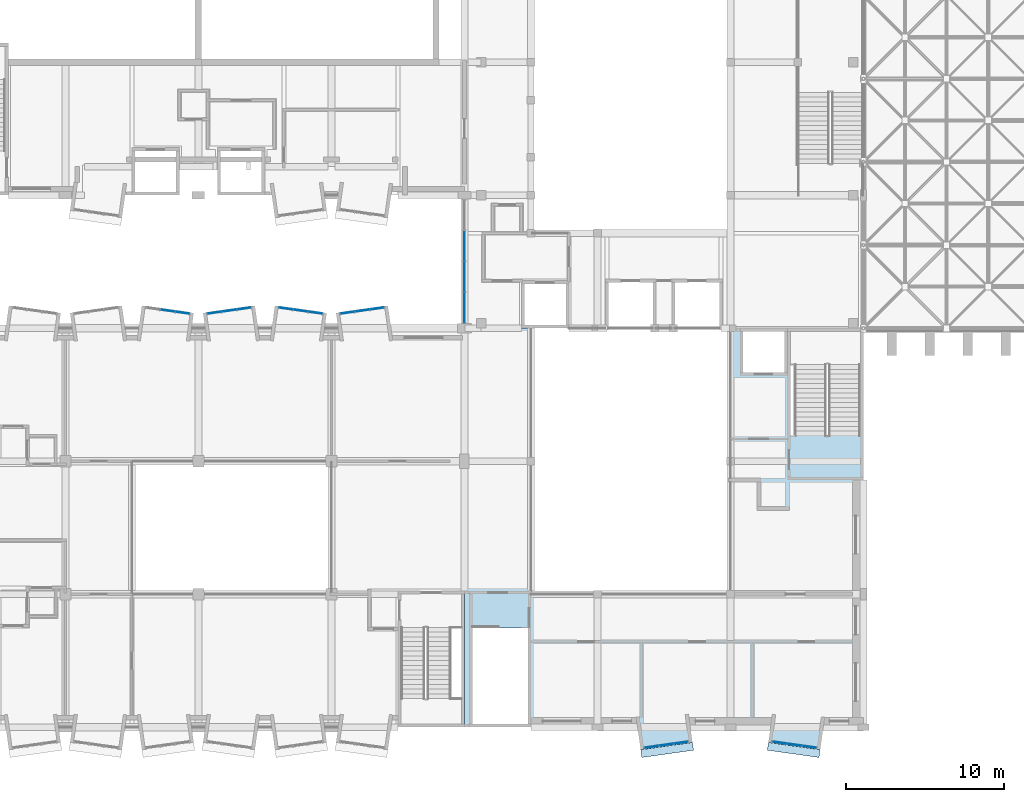
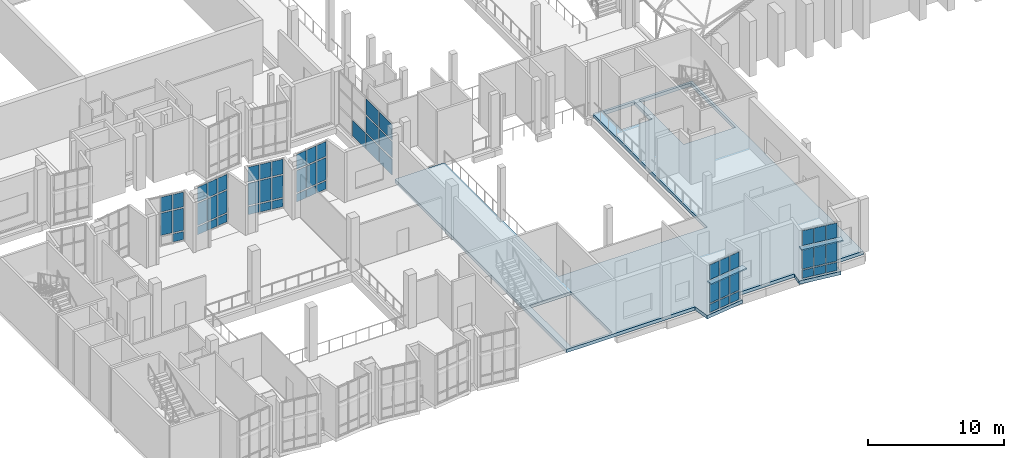
# One storey, part 51 of 100: 59 plates, 1 slab, 7 elements without a shape of their own.
"""IFC4 building model written with IfcOpenShell, lengths in metres."""

from ifc_helpers import new_model, si_unit, direction, frame, origin, origin_2d, place, context, subcontext, project, spatial, polyline, rectangle, outline, extrude, material, layer, layer_set, type_object, element, aggregate, save


model = new_model("IFC4")

# Units and contexts
model_context = context("Model", 3, precision=1e-05, world=origin(), true_north=direction((0.0, 1.0)))
body_context = subcontext(model_context, "Body", "Model", "MODEL_VIEW")
ifc_project = project(units=[si_unit("LENGTHUNIT", "METRE"), si_unit("AREAUNIT", "SQUARE_METRE"), si_unit("VOLUMEUNIT", "CUBIC_METRE"), si_unit("PLANEANGLEUNIT", "RADIAN"), si_unit("MASSUNIT", "GRAM", prefix="KILO")], contexts=[model_context])

# Site, building, storey
site_placement = place(None, origin())
site = spatial("IfcSite", under=ifc_project, at=site_placement, CompositionType="ELEMENT")
building_placement = place(site_placement, origin())
building = spatial("IfcBuilding", under=site, at=building_placement, Name="Kiln Court Media Centre", CompositionType="ELEMENT")
storey_placement = place(building_placement, frame((0.0, 0.0, 15.0)))
storey = spatial("IfcBuildingStorey", under=building, at=storey_placement, Name="L03", CompositionType="ELEMENT", Elevation=15.0)

# Slab
ifc_material_1 = material(Name="Concrete C30/37", Category="concrete")
ifc_layer_1 = layer(ifc_material_1, 0.300048828125)
ifc_layer_set_1 = layer_set([ifc_layer_1], Name="Concrete C30/37 floor slab 300")
slab_type = type_object("IfcSlabType", Name="Concrete C30/37 floor slab 300", PredefinedType="FLOOR", material=ifc_layer_set_1)
slab_placement = place(storey_placement, frame((0.0, 0.0, -0.300048828125)))
element("IfcSlab", 1, at=slab_placement, inside=storey, type_object=slab_type, Name="L03-SL-1001", PredefinedType="FLOOR", context=body_context, shape_type="SweptSolid", body=[
    extrude(outline(polyline([(44.733154296875, -1.41845703125), (44.533203125, 0.0), (33.60009765625, 0.0), (33.60009765625, 25.199951171875), (37.800048828125, 25.199951171875), (37.800048828125, 8.39990234375), (50.39990234375, 8.39990234375), (50.39990234375, 25.199951171875), (58.800048828125, 25.199951171875), (58.800048828125, 0.0), (56.2666015625, 0.0), (56.06689453125, -1.41845703125), (52.798828125, -0.958984375), (52.933349609375, 0.0), (47.86669921875, 0.0), (48.001220703125, -0.958984375), (44.733154296875, -1.41845703125)]), holes=[polyline([(34.10009765625, 0.199951171875), (37.60009765625, 0.199951171875), (37.60009765625, 6.260009765625), (34.10009765625, 6.260009765625), (34.10009765625, 0.199951171875)]), polyline([(54.199951171875, 18.43994140625), (58.60009765625, 18.43994140625), (58.60009765625, 25.0), (54.199951171875, 25.0), (54.199951171875, 18.43994140625)]), polyline([(51.199951171875, 22.39990234375), (53.800048828125, 22.39990234375), (53.800048828125, 25.0), (51.199951171875, 25.0), (51.199951171875, 22.39990234375)])]), origin(), (0.0, 0.0, 1.0), 0.300048828125),
])

# Plates
ifc_material_2 = material(Name="Concrete C30/37", Category="concrete")
ifc_layer_2 = layer(ifc_material_2, 0.1201171875)
ifc_layer_set_2 = layer_set([ifc_layer_2], Name="Concrete C30/37 sunshade hood 120")
plate_type_1 = type_object("IfcPlateType", Name="Concrete C30/37 sunshade hood 120", PredefinedType="USERDEFINED", material=ifc_layer_set_2)
plate_1_placement = place(storey_placement, frame((0.0, 0.0, 3.0)))
element("IfcPlate", 2, at=plate_1_placement, inside=storey, type_object=plate_type_1, Name="SUNSHADE V6B-S-L03-07", ObjectType="SUNSHADE", PredefinedType="USERDEFINED", context=body_context, shape_type="SweptSolid", body=[
    extrude(outline(polyline([(44.733154296875, -1.41796875), (48.0009765625, -0.958740234375), (48.070556640625, -1.453857421875), (44.802734375, -1.9130859375), (44.733154296875, -1.41796875)])), origin(), (0.0, 0.0, 1.0), 0.1201171875),
])
plate_2_placement = place(storey_placement, frame((0.0, 0.0, 3.0)))
element("IfcPlate", 3, at=plate_2_placement, inside=storey, type_object=plate_type_1, Name="SUNSHADE V6B-S-L03-08", ObjectType="SUNSHADE", PredefinedType="USERDEFINED", context=body_context, shape_type="SweptSolid", body=[
    extrude(outline(polyline([(52.799072265625, -0.958740234375), (56.06689453125, -1.41796875), (55.997314453125, -1.9130859375), (52.7294921875, -1.453857421875), (52.799072265625, -0.958740234375)])), origin(), (0.0, 0.0, 1.0), 0.1201171875),
])

# Curtain wall, plate
ifc_material_3 = material(Name="Aluminium 6063-T6", Category="aluminium")
ifc_layer_3 = layer(ifc_material_3, 0.1201171875)
ifc_layer_set_3 = layer_set([ifc_layer_3], Name="Aluminium unitised bay curtain wall")
curtain_wall_type_1 = type_object("IfcCurtainWallType", Name="Aluminium unitised bay curtain wall", PredefinedType="USERDEFINED", material=ifc_layer_set_3)
curtain_wall_1_placement = place(storey_placement, origin())
curtain_wall_1 = element("IfcCurtainWall", 4, at=curtain_wall_1_placement, inside=storey, type_object=curtain_wall_type_1, Name="BAY V6A-N-L03-18 front", ObjectType="UNITISED CURTAIN WALL", PredefinedType="USERDEFINED")
ifc_material_4 = material(Name="Aluminium insulated spandrel", Category="aluminium")
ifc_layer_4 = layer(ifc_material_4, 0.028076171875)
ifc_layer_set_4 = layer_set([ifc_layer_4], Name="Insulated spandrel panel 28")
plate_type_2 = type_object("IfcPlateType", Name="Insulated spandrel panel 28", PredefinedType="CURTAIN_PANEL", material=ifc_layer_set_4)
plate_3_placement = place(storey_placement, frame((15.788330078125, 26.177978515625, 0.1201171875), z_axis=(0.0, 0.0, 1.0), x_axis=(0.990269562409, -0.139162472554, 0.0)))
plate_3 = element("IfcPlate", 5, at=plate_3_placement, type_object=plate_type_2, Name="CW3-06 panel 3.1", PredefinedType="CURTAIN_PANEL", context=body_context, shape_type="SweptSolid", body=[
    extrude(rectangle(XDim=0.86669921875, YDim=0.028076171875, at=origin_2d()), origin(), (0.0, 0.0, 1.0), 0.719970703125),
])

# Curtain wall, plates
curtain_wall_2_placement = place(storey_placement, origin())
curtain_wall_2 = element("IfcCurtainWall", 6, at=curtain_wall_2_placement, inside=storey, type_object=curtain_wall_type_1, Name="BAY V6A-N-L03-19 front", ObjectType="UNITISED CURTAIN WALL", PredefinedType="USERDEFINED")
plate_4_placement = place(storey_placement, frame((17.8115234375, 26.177978515625, 0.1201171875), z_axis=(0.0, 0.0, 1.0), x_axis=(0.990269562409, 0.139162472554, 0.0)))
plate_4 = element("IfcPlate", 7, at=plate_4_placement, type_object=plate_type_2, Name="CW3-07 panel 1.1", PredefinedType="CURTAIN_PANEL", context=body_context, shape_type="SweptSolid", body=[
    extrude(rectangle(XDim=0.86669921875, YDim=0.028076171875, at=origin_2d()), origin(), (0.0, 0.0, 1.0), 0.719970703125),
])
plate_5_placement = place(storey_placement, frame((18.744140625, 26.30908203125, 0.1201171875), z_axis=(0.0, 0.0, 1.0), x_axis=(0.990269562409, 0.139162472554, 0.0)))
plate_5 = element("IfcPlate", 8, at=plate_5_placement, type_object=plate_type_2, Name="CW3-07 panel 2.1", PredefinedType="CURTAIN_PANEL", context=body_context, shape_type="SweptSolid", body=[
    extrude(rectangle(XDim=0.896728515625, YDim=0.028076171875, at=origin_2d()), origin(), (0.0, 0.0, 1.0), 0.719970703125),
])
plate_6_placement = place(storey_placement, frame((19.6767578125, 26.440185546875, 0.1201171875), z_axis=(0.0, 0.0, 1.0), x_axis=(0.990269562409, 0.139162472554, 0.0)))
plate_6 = element("IfcPlate", 9, at=plate_6_placement, type_object=plate_type_2, Name="CW3-07 panel 3.1", PredefinedType="CURTAIN_PANEL", context=body_context, shape_type="SweptSolid", body=[
    extrude(rectangle(XDim=0.86669921875, YDim=0.028076171875, at=origin_2d()), origin(), (0.0, 0.0, 1.0), 0.719970703125),
])

curtain_wall_3_placement = place(storey_placement, origin())
curtain_wall_3 = element("IfcCurtainWall", 10, at=curtain_wall_3_placement, inside=storey, type_object=curtain_wall_type_1, Name="BAY V6A-N-L03-20 front", ObjectType="UNITISED CURTAIN WALL", PredefinedType="USERDEFINED")
plate_7_placement = place(storey_placement, frame((22.3232421875, 26.440185546875, 0.1201171875), z_axis=(0.0, 0.0, 1.0), x_axis=(0.990269562409, -0.139162472554, 0.0)))
plate_7 = element("IfcPlate", 11, at=plate_7_placement, type_object=plate_type_2, Name="CW3-08 panel 1.1", PredefinedType="CURTAIN_PANEL", context=body_context, shape_type="SweptSolid", body=[
    extrude(rectangle(XDim=0.86669921875, YDim=0.028076171875, at=origin_2d()), origin(), (0.0, 0.0, 1.0), 0.719970703125),
])
plate_8_placement = place(storey_placement, frame((23.255859375, 26.30908203125, 0.1201171875), z_axis=(0.0, 0.0, 1.0), x_axis=(0.990269562409, -0.139162472554, 0.0)))
plate_8 = element("IfcPlate", 12, at=plate_8_placement, type_object=plate_type_2, Name="CW3-08 panel 2.1", PredefinedType="CURTAIN_PANEL", context=body_context, shape_type="SweptSolid", body=[
    extrude(rectangle(XDim=0.896728515625, YDim=0.028076171875, at=origin_2d()), origin(), (0.0, 0.0, 1.0), 0.719970703125),
])
plate_9_placement = place(storey_placement, frame((24.1884765625, 26.177978515625, 0.1201171875), z_axis=(0.0, 0.0, 1.0), x_axis=(0.990269562409, -0.139162472554, 0.0)))
plate_9 = element("IfcPlate", 13, at=plate_9_placement, type_object=plate_type_2, Name="CW3-08 panel 3.1", PredefinedType="CURTAIN_PANEL", context=body_context, shape_type="SweptSolid", body=[
    extrude(rectangle(XDim=0.86669921875, YDim=0.028076171875, at=origin_2d()), origin(), (0.0, 0.0, 1.0), 0.719970703125),
])

curtain_wall_4_placement = place(storey_placement, origin())
curtain_wall_4 = element("IfcCurtainWall", 14, at=curtain_wall_4_placement, inside=storey, type_object=curtain_wall_type_1, Name="BAY V6A-N-L03-21 front", ObjectType="UNITISED CURTAIN WALL", PredefinedType="USERDEFINED")
plate_10_placement = place(storey_placement, frame((26.211669921875, 26.177978515625, 0.1201171875), z_axis=(0.0, 0.0, 1.0), x_axis=(0.990269562409, 0.139162472554, 0.0)))
plate_10 = element("IfcPlate", 15, at=plate_10_placement, type_object=plate_type_2, Name="CW3-09 panel 1.1", PredefinedType="CURTAIN_PANEL", context=body_context, shape_type="SweptSolid", body=[
    extrude(rectangle(XDim=0.86669921875, YDim=0.028076171875, at=origin_2d()), origin(), (0.0, 0.0, 1.0), 0.719970703125),
])
plate_11_placement = place(storey_placement, frame((27.14404296875, 26.30908203125, 0.1201171875), z_axis=(0.0, 0.0, 1.0), x_axis=(0.990269562409, 0.139162472554, 0.0)))
plate_11 = element("IfcPlate", 16, at=plate_11_placement, type_object=plate_type_2, Name="CW3-09 panel 2.1", PredefinedType="CURTAIN_PANEL", context=body_context, shape_type="SweptSolid", body=[
    extrude(rectangle(XDim=0.896728515625, YDim=0.028076171875, at=origin_2d()), origin(), (0.0, 0.0, 1.0), 0.719970703125),
])
plate_12_placement = place(storey_placement, frame((28.07666015625, 26.440185546875, 0.1201171875), z_axis=(0.0, 0.0, 1.0), x_axis=(0.990269562409, 0.139162472554, 0.0)))
plate_12 = element("IfcPlate", 17, at=plate_12_placement, type_object=plate_type_2, Name="CW3-09 panel 3.1", PredefinedType="CURTAIN_PANEL", context=body_context, shape_type="SweptSolid", body=[
    extrude(rectangle(XDim=0.86669921875, YDim=0.028076171875, at=origin_2d()), origin(), (0.0, 0.0, 1.0), 0.719970703125),
])

curtain_wall_5_placement = place(storey_placement, origin())
curtain_wall_5 = element("IfcCurtainWall", 18, at=curtain_wall_5_placement, inside=storey, type_object=curtain_wall_type_1, Name="BAY V6B-S-L03-07 front", ObjectType="UNITISED CURTAIN WALL", PredefinedType="USERDEFINED")
plate_13_placement = place(storey_placement, frame((45.42333984375, -1.240234375, 0.1201171875), z_axis=(0.0, 0.0, 1.0), x_axis=(0.990269562409, 0.139162472554, 0.0)))
plate_13 = element("IfcPlate", 19, at=plate_13_placement, type_object=plate_type_2, Name="CW3-16 panel 1.1", PredefinedType="CURTAIN_PANEL", context=body_context, shape_type="SweptSolid", body=[
    extrude(rectangle(XDim=0.86669921875, YDim=0.028076171875, at=origin_2d()), origin(), (0.0, 0.0, 1.0), 0.719970703125),
])
plate_14_placement = place(storey_placement, frame((46.35595703125, -1.109130859375, 0.1201171875), z_axis=(0.0, 0.0, 1.0), x_axis=(0.990269562409, 0.139162472554, 0.0)))
plate_14 = element("IfcPlate", 20, at=plate_14_placement, type_object=plate_type_2, Name="CW3-16 panel 2.1", PredefinedType="CURTAIN_PANEL", context=body_context, shape_type="SweptSolid", body=[
    extrude(rectangle(XDim=0.896728515625, YDim=0.028076171875, at=origin_2d()), origin(), (0.0, 0.0, 1.0), 0.719970703125),
])
plate_15_placement = place(storey_placement, frame((47.288330078125, -0.97802734375, 0.1201171875), z_axis=(0.0, 0.0, 1.0), x_axis=(0.990269562409, 0.139162472554, 0.0)))
plate_15 = element("IfcPlate", 21, at=plate_15_placement, type_object=plate_type_2, Name="CW3-16 panel 3.1", PredefinedType="CURTAIN_PANEL", context=body_context, shape_type="SweptSolid", body=[
    extrude(rectangle(XDim=0.86669921875, YDim=0.028076171875, at=origin_2d()), origin(), (0.0, 0.0, 1.0), 0.719970703125),
])

curtain_wall_6_placement = place(storey_placement, origin())
curtain_wall_6 = element("IfcCurtainWall", 22, at=curtain_wall_6_placement, inside=storey, type_object=curtain_wall_type_1, Name="BAY V6B-S-L03-08 front", ObjectType="UNITISED CURTAIN WALL", PredefinedType="USERDEFINED")
plate_16_placement = place(storey_placement, frame((53.51171875, -0.97802734375, 0.1201171875), z_axis=(0.0, 0.0, 1.0), x_axis=(0.990269562409, -0.139162472554, 0.0)))
plate_16 = element("IfcPlate", 23, at=plate_16_placement, type_object=plate_type_2, Name="CW3-17 panel 1.1", PredefinedType="CURTAIN_PANEL", context=body_context, shape_type="SweptSolid", body=[
    extrude(rectangle(XDim=0.86669921875, YDim=0.028076171875, at=origin_2d()), origin(), (0.0, 0.0, 1.0), 0.719970703125),
])
plate_17_placement = place(storey_placement, frame((54.444091796875, -1.109130859375, 0.1201171875), z_axis=(0.0, 0.0, 1.0), x_axis=(0.990269562409, -0.139162472554, 0.0)))
plate_17 = element("IfcPlate", 24, at=plate_17_placement, type_object=plate_type_2, Name="CW3-17 panel 2.1", PredefinedType="CURTAIN_PANEL", context=body_context, shape_type="SweptSolid", body=[
    extrude(rectangle(XDim=0.896728515625, YDim=0.028076171875, at=origin_2d()), origin(), (0.0, 0.0, 1.0), 0.719970703125),
])
plate_18_placement = place(storey_placement, frame((55.376708984375, -1.240234375, 0.1201171875), z_axis=(0.0, 0.0, 1.0), x_axis=(0.990269562409, -0.139162472554, 0.0)))
plate_18 = element("IfcPlate", 25, at=plate_18_placement, type_object=plate_type_2, Name="CW3-17 panel 3.1", PredefinedType="CURTAIN_PANEL", context=body_context, shape_type="SweptSolid", body=[
    extrude(rectangle(XDim=0.86669921875, YDim=0.028076171875, at=origin_2d()), origin(), (0.0, 0.0, 1.0), 0.719970703125),
])

ifc_material_5 = material(Name="Aluminium 6063-T6", Category="aluminium")
ifc_layer_5 = layer(ifc_material_5, 0.1201171875)
ifc_layer_set_5 = layer_set([ifc_layer_5], Name="Aluminium stick curtain wall, gallery")
curtain_wall_type_2 = type_object("IfcCurtainWallType", Name="Aluminium stick curtain wall, gallery", PredefinedType="USERDEFINED", material=ifc_layer_set_5)
curtain_wall_7_placement = place(storey_placement, origin())
curtain_wall_7 = element("IfcCurtainWall", 26, at=curtain_wall_7_placement, inside=storey, type_object=curtain_wall_type_2, Name="Foyer west glazing L03", ObjectType="STICK CURTAIN WALL", PredefinedType="USERDEFINED")
ifc_material_6 = material(Name="Laminated low-E glazing", Category="glass")
ifc_layer_6 = layer(ifc_material_6, 0.033935546875)
ifc_layer_set_6 = layer_set([ifc_layer_6], Name="Laminated low-E glazed panel 34")
plate_type_3 = type_object("IfcPlateType", Name="Laminated low-E glazed panel 34", PredefinedType="CURTAIN_PANEL", material=ifc_layer_set_6)
plate_19_placement = place(storey_placement, frame((33.60009765625, 26.496337890625, 0.14013671875), z_axis=(0.0, 0.0, 1.0), x_axis=(0.0, 1.0, 0.0)))
plate_19 = element("IfcPlate", 27, at=plate_19_placement, type_object=plate_type_3, Name="CW3-62 panel 1.1", PredefinedType="CURTAIN_PANEL", context=body_context, shape_type="SweptSolid", body=[
    extrude(rectangle(XDim=1.87255859375, YDim=0.033935546875, at=origin_2d()), origin(), (0.0, 0.0, 1.0), 1.389892578125),
])
plate_20_placement = place(storey_placement, frame((33.60009765625, 26.496337890625, 1.669921875), z_axis=(0.0, 0.0, 1.0), x_axis=(0.0, 1.0, 0.0)))
plate_20 = element("IfcPlate", 28, at=plate_20_placement, type_object=plate_type_3, Name="CW3-62 panel 1.2", PredefinedType="CURTAIN_PANEL", context=body_context, shape_type="SweptSolid", body=[
    extrude(rectangle(XDim=1.87255859375, YDim=0.033935546875, at=origin_2d()), origin(), (0.0, 0.0, 1.0), 1.4599609375),
])
plate_21_placement = place(storey_placement, frame((33.60009765625, 26.496337890625, 3.27001953125), z_axis=(0.0, 0.0, 1.0), x_axis=(0.0, 1.0, 0.0)))
plate_21 = element("IfcPlate", 29, at=plate_21_placement, type_object=plate_type_3, Name="CW3-62 panel 1.3", PredefinedType="CURTAIN_PANEL", context=body_context, shape_type="SweptSolid", body=[
    extrude(rectangle(XDim=1.87255859375, YDim=0.033935546875, at=origin_2d()), origin(), (0.0, 0.0, 1.0), 1.389892578125),
])
plate_22_placement = place(storey_placement, frame((33.60009765625, 28.44384765625, 0.14013671875), z_axis=(0.0, 0.0, 1.0), x_axis=(0.0, 1.0, 0.0)))
plate_22 = element("IfcPlate", 30, at=plate_22_placement, type_object=plate_type_3, Name="CW3-62 panel 2.1", PredefinedType="CURTAIN_PANEL", context=body_context, shape_type="SweptSolid", body=[
    extrude(rectangle(XDim=1.902587890625, YDim=0.033935546875, at=origin_2d()), origin(), (0.0, 0.0, 1.0), 1.389892578125),
])
plate_23_placement = place(storey_placement, frame((33.60009765625, 28.44384765625, 1.669921875), z_axis=(0.0, 0.0, 1.0), x_axis=(0.0, 1.0, 0.0)))
plate_23 = element("IfcPlate", 31, at=plate_23_placement, type_object=plate_type_3, Name="CW3-62 panel 2.2", PredefinedType="CURTAIN_PANEL", context=body_context, shape_type="SweptSolid", body=[
    extrude(rectangle(XDim=1.902587890625, YDim=0.033935546875, at=origin_2d()), origin(), (0.0, 0.0, 1.0), 1.4599609375),
])
plate_24_placement = place(storey_placement, frame((33.60009765625, 28.44384765625, 3.27001953125), z_axis=(0.0, 0.0, 1.0), x_axis=(0.0, 1.0, 0.0)))
plate_24 = element("IfcPlate", 32, at=plate_24_placement, type_object=plate_type_3, Name="CW3-62 panel 2.3", PredefinedType="CURTAIN_PANEL", context=body_context, shape_type="SweptSolid", body=[
    extrude(rectangle(XDim=1.902587890625, YDim=0.033935546875, at=origin_2d()), origin(), (0.0, 0.0, 1.0), 1.389892578125),
])
plate_25_placement = place(storey_placement, frame((33.60009765625, 30.40625, 0.14013671875), z_axis=(0.0, 0.0, 1.0), x_axis=(0.0, 1.0, 0.0)))
plate_25 = element("IfcPlate", 33, at=plate_25_placement, type_object=plate_type_3, Name="CW3-62 panel 3.1", PredefinedType="CURTAIN_PANEL", context=body_context, shape_type="SweptSolid", body=[
    extrude(rectangle(XDim=1.902587890625, YDim=0.033935546875, at=origin_2d()), origin(), (0.0, 0.0, 1.0), 1.389892578125),
])
aggregate(curtain_wall_7, [plate_19, plate_20, plate_21, plate_22, plate_23, plate_24, plate_25])

# Plate
ifc_material_7 = material(Name="Low-E double glazing", Category="glass")
ifc_layer_7 = layer(ifc_material_7, 0.028076171875)
ifc_layer_set_7 = layer_set([ifc_layer_7], Name="Low-E double glazed panel 28")
plate_type_4 = type_object("IfcPlateType", Name="Low-E double glazed panel 28", PredefinedType="CURTAIN_PANEL", material=ifc_layer_set_7)
plate_26_placement = place(storey_placement, frame((14.85595703125, 26.30908203125, 0.9599609375), z_axis=(0.0, 0.0, 1.0), x_axis=(0.990269562409, -0.139162472554, 0.0)))
plate_26 = element("IfcPlate", 34, at=plate_26_placement, type_object=plate_type_4, Name="CW3-06 panel 2.2", PredefinedType="CURTAIN_PANEL", context=body_context, shape_type="SweptSolid", body=[
    extrude(rectangle(XDim=0.896728515625, YDim=0.028076171875, at=origin_2d()), origin(), (0.0, 0.0, 1.0), 1.97998046875),
])

plate_27_placement = place(storey_placement, frame((14.85595703125, 26.30908203125, 3.06005859375), z_axis=(0.0, 0.0, 1.0), x_axis=(0.990269562409, -0.139162472554, 0.0)))
plate_27 = element("IfcPlate", 35, at=plate_27_placement, type_object=plate_type_4, Name="CW3-06 panel 2.3", PredefinedType="CURTAIN_PANEL", context=body_context, shape_type="SweptSolid", body=[
    extrude(rectangle(XDim=0.896728515625, YDim=0.028076171875, at=origin_2d()), origin(), (0.0, 0.0, 1.0), 1.320068359375),
])

plate_28_placement = place(storey_placement, frame((15.788330078125, 26.177978515625, 0.9599609375), z_axis=(0.0, 0.0, 1.0), x_axis=(0.990269562409, -0.139162472554, 0.0)))
plate_28 = element("IfcPlate", 36, at=plate_28_placement, type_object=plate_type_4, Name="CW3-06 panel 3.2", PredefinedType="CURTAIN_PANEL", context=body_context, shape_type="SweptSolid", body=[
    extrude(rectangle(XDim=0.86669921875, YDim=0.028076171875, at=origin_2d()), origin(), (0.0, 0.0, 1.0), 1.97998046875),
])

plate_29_placement = place(storey_placement, frame((15.788330078125, 26.177978515625, 3.06005859375), z_axis=(0.0, 0.0, 1.0), x_axis=(0.990269562409, -0.139162472554, 0.0)))
plate_29 = element("IfcPlate", 37, at=plate_29_placement, type_object=plate_type_4, Name="CW3-06 panel 3.3", PredefinedType="CURTAIN_PANEL", context=body_context, shape_type="SweptSolid", body=[
    extrude(rectangle(XDim=0.86669921875, YDim=0.028076171875, at=origin_2d()), origin(), (0.0, 0.0, 1.0), 1.320068359375),
])

aggregate(curtain_wall_1, [plate_26, plate_27, plate_3, plate_28, plate_29])

plate_30_placement = place(storey_placement, frame((17.8115234375, 26.177978515625, 0.9599609375), z_axis=(0.0, 0.0, 1.0), x_axis=(0.990269562409, 0.139162472554, 0.0)))
plate_30 = element("IfcPlate", 38, at=plate_30_placement, type_object=plate_type_4, Name="CW3-07 panel 1.2", PredefinedType="CURTAIN_PANEL", context=body_context, shape_type="SweptSolid", body=[
    extrude(rectangle(XDim=0.86669921875, YDim=0.028076171875, at=origin_2d()), origin(), (0.0, 0.0, 1.0), 1.97998046875),
])

plate_31_placement = place(storey_placement, frame((17.8115234375, 26.177978515625, 3.06005859375), z_axis=(0.0, 0.0, 1.0), x_axis=(0.990269562409, 0.139162472554, 0.0)))
plate_31 = element("IfcPlate", 39, at=plate_31_placement, type_object=plate_type_4, Name="CW3-07 panel 1.3", PredefinedType="CURTAIN_PANEL", context=body_context, shape_type="SweptSolid", body=[
    extrude(rectangle(XDim=0.86669921875, YDim=0.028076171875, at=origin_2d()), origin(), (0.0, 0.0, 1.0), 1.320068359375),
])

plate_32_placement = place(storey_placement, frame((18.744140625, 26.30908203125, 0.9599609375), z_axis=(0.0, 0.0, 1.0), x_axis=(0.990269562409, 0.139162472554, 0.0)))
plate_32 = element("IfcPlate", 40, at=plate_32_placement, type_object=plate_type_4, Name="CW3-07 panel 2.2", PredefinedType="CURTAIN_PANEL", context=body_context, shape_type="SweptSolid", body=[
    extrude(rectangle(XDim=0.896728515625, YDim=0.028076171875, at=origin_2d()), origin(), (0.0, 0.0, 1.0), 1.97998046875),
])

plate_33_placement = place(storey_placement, frame((18.744140625, 26.30908203125, 3.06005859375), z_axis=(0.0, 0.0, 1.0), x_axis=(0.990269562409, 0.139162472554, 0.0)))
plate_33 = element("IfcPlate", 41, at=plate_33_placement, type_object=plate_type_4, Name="CW3-07 panel 2.3", PredefinedType="CURTAIN_PANEL", context=body_context, shape_type="SweptSolid", body=[
    extrude(rectangle(XDim=0.896728515625, YDim=0.028076171875, at=origin_2d()), origin(), (0.0, 0.0, 1.0), 1.320068359375),
])

plate_34_placement = place(storey_placement, frame((19.6767578125, 26.440185546875, 0.9599609375), z_axis=(0.0, 0.0, 1.0), x_axis=(0.990269562409, 0.139162472554, 0.0)))
plate_34 = element("IfcPlate", 42, at=plate_34_placement, type_object=plate_type_4, Name="CW3-07 panel 3.2", PredefinedType="CURTAIN_PANEL", context=body_context, shape_type="SweptSolid", body=[
    extrude(rectangle(XDim=0.86669921875, YDim=0.028076171875, at=origin_2d()), origin(), (0.0, 0.0, 1.0), 1.97998046875),
])

plate_35_placement = place(storey_placement, frame((19.6767578125, 26.440185546875, 3.06005859375), z_axis=(0.0, 0.0, 1.0), x_axis=(0.990269562409, 0.139162472554, 0.0)))
plate_35 = element("IfcPlate", 43, at=plate_35_placement, type_object=plate_type_4, Name="CW3-07 panel 3.3", PredefinedType="CURTAIN_PANEL", context=body_context, shape_type="SweptSolid", body=[
    extrude(rectangle(XDim=0.86669921875, YDim=0.028076171875, at=origin_2d()), origin(), (0.0, 0.0, 1.0), 1.320068359375),
])

aggregate(curtain_wall_2, [plate_4, plate_30, plate_31, plate_5, plate_32, plate_33, plate_6, plate_34, plate_35])

plate_36_placement = place(storey_placement, frame((22.3232421875, 26.440185546875, 0.9599609375), z_axis=(0.0, 0.0, 1.0), x_axis=(0.990269562409, -0.139162472554, 0.0)))
plate_36 = element("IfcPlate", 44, at=plate_36_placement, type_object=plate_type_4, Name="CW3-08 panel 1.2", PredefinedType="CURTAIN_PANEL", context=body_context, shape_type="SweptSolid", body=[
    extrude(rectangle(XDim=0.86669921875, YDim=0.028076171875, at=origin_2d()), origin(), (0.0, 0.0, 1.0), 1.97998046875),
])

plate_37_placement = place(storey_placement, frame((22.3232421875, 26.440185546875, 3.06005859375), z_axis=(0.0, 0.0, 1.0), x_axis=(0.990269562409, -0.139162472554, 0.0)))
plate_37 = element("IfcPlate", 45, at=plate_37_placement, type_object=plate_type_4, Name="CW3-08 panel 1.3", PredefinedType="CURTAIN_PANEL", context=body_context, shape_type="SweptSolid", body=[
    extrude(rectangle(XDim=0.86669921875, YDim=0.028076171875, at=origin_2d()), origin(), (0.0, 0.0, 1.0), 1.320068359375),
])

plate_38_placement = place(storey_placement, frame((23.255859375, 26.30908203125, 0.9599609375), z_axis=(0.0, 0.0, 1.0), x_axis=(0.990269562409, -0.139162472554, 0.0)))
plate_38 = element("IfcPlate", 46, at=plate_38_placement, type_object=plate_type_4, Name="CW3-08 panel 2.2", PredefinedType="CURTAIN_PANEL", context=body_context, shape_type="SweptSolid", body=[
    extrude(rectangle(XDim=0.896728515625, YDim=0.028076171875, at=origin_2d()), origin(), (0.0, 0.0, 1.0), 1.97998046875),
])

plate_39_placement = place(storey_placement, frame((23.255859375, 26.30908203125, 3.06005859375), z_axis=(0.0, 0.0, 1.0), x_axis=(0.990269562409, -0.139162472554, 0.0)))
plate_39 = element("IfcPlate", 47, at=plate_39_placement, type_object=plate_type_4, Name="CW3-08 panel 2.3", PredefinedType="CURTAIN_PANEL", context=body_context, shape_type="SweptSolid", body=[
    extrude(rectangle(XDim=0.896728515625, YDim=0.028076171875, at=origin_2d()), origin(), (0.0, 0.0, 1.0), 1.320068359375),
])

plate_40_placement = place(storey_placement, frame((24.1884765625, 26.177978515625, 0.9599609375), z_axis=(0.0, 0.0, 1.0), x_axis=(0.990269562409, -0.139162472554, 0.0)))
plate_40 = element("IfcPlate", 48, at=plate_40_placement, type_object=plate_type_4, Name="CW3-08 panel 3.2", PredefinedType="CURTAIN_PANEL", context=body_context, shape_type="SweptSolid", body=[
    extrude(rectangle(XDim=0.86669921875, YDim=0.028076171875, at=origin_2d()), origin(), (0.0, 0.0, 1.0), 1.97998046875),
])

plate_41_placement = place(storey_placement, frame((24.1884765625, 26.177978515625, 3.06005859375), z_axis=(0.0, 0.0, 1.0), x_axis=(0.990269562409, -0.139162472554, 0.0)))
plate_41 = element("IfcPlate", 49, at=plate_41_placement, type_object=plate_type_4, Name="CW3-08 panel 3.3", PredefinedType="CURTAIN_PANEL", context=body_context, shape_type="SweptSolid", body=[
    extrude(rectangle(XDim=0.86669921875, YDim=0.028076171875, at=origin_2d()), origin(), (0.0, 0.0, 1.0), 1.320068359375),
])

aggregate(curtain_wall_3, [plate_7, plate_36, plate_37, plate_8, plate_38, plate_39, plate_9, plate_40, plate_41])

plate_42_placement = place(storey_placement, frame((26.211669921875, 26.177978515625, 0.9599609375), z_axis=(0.0, 0.0, 1.0), x_axis=(0.990269562409, 0.139162472554, 0.0)))
plate_42 = element("IfcPlate", 50, at=plate_42_placement, type_object=plate_type_4, Name="CW3-09 panel 1.2", PredefinedType="CURTAIN_PANEL", context=body_context, shape_type="SweptSolid", body=[
    extrude(rectangle(XDim=0.86669921875, YDim=0.028076171875, at=origin_2d()), origin(), (0.0, 0.0, 1.0), 1.97998046875),
])

plate_43_placement = place(storey_placement, frame((26.211669921875, 26.177978515625, 3.06005859375), z_axis=(0.0, 0.0, 1.0), x_axis=(0.990269562409, 0.139162472554, 0.0)))
plate_43 = element("IfcPlate", 51, at=plate_43_placement, type_object=plate_type_4, Name="CW3-09 panel 1.3", PredefinedType="CURTAIN_PANEL", context=body_context, shape_type="SweptSolid", body=[
    extrude(rectangle(XDim=0.86669921875, YDim=0.028076171875, at=origin_2d()), origin(), (0.0, 0.0, 1.0), 1.320068359375),
])

plate_44_placement = place(storey_placement, frame((27.14404296875, 26.30908203125, 0.9599609375), z_axis=(0.0, 0.0, 1.0), x_axis=(0.990269562409, 0.139162472554, 0.0)))
plate_44 = element("IfcPlate", 52, at=plate_44_placement, type_object=plate_type_4, Name="CW3-09 panel 2.2", PredefinedType="CURTAIN_PANEL", context=body_context, shape_type="SweptSolid", body=[
    extrude(rectangle(XDim=0.896728515625, YDim=0.028076171875, at=origin_2d()), origin(), (0.0, 0.0, 1.0), 1.97998046875),
])

plate_45_placement = place(storey_placement, frame((27.14404296875, 26.30908203125, 3.06005859375), z_axis=(0.0, 0.0, 1.0), x_axis=(0.990269562409, 0.139162472554, 0.0)))
plate_45 = element("IfcPlate", 53, at=plate_45_placement, type_object=plate_type_4, Name="CW3-09 panel 2.3", PredefinedType="CURTAIN_PANEL", context=body_context, shape_type="SweptSolid", body=[
    extrude(rectangle(XDim=0.896728515625, YDim=0.028076171875, at=origin_2d()), origin(), (0.0, 0.0, 1.0), 1.320068359375),
])

plate_46_placement = place(storey_placement, frame((28.07666015625, 26.440185546875, 0.9599609375), z_axis=(0.0, 0.0, 1.0), x_axis=(0.990269562409, 0.139162472554, 0.0)))
plate_46 = element("IfcPlate", 54, at=plate_46_placement, type_object=plate_type_4, Name="CW3-09 panel 3.2", PredefinedType="CURTAIN_PANEL", context=body_context, shape_type="SweptSolid", body=[
    extrude(rectangle(XDim=0.86669921875, YDim=0.028076171875, at=origin_2d()), origin(), (0.0, 0.0, 1.0), 1.97998046875),
])

plate_47_placement = place(storey_placement, frame((28.07666015625, 26.440185546875, 3.06005859375), z_axis=(0.0, 0.0, 1.0), x_axis=(0.990269562409, 0.139162472554, 0.0)))
plate_47 = element("IfcPlate", 55, at=plate_47_placement, type_object=plate_type_4, Name="CW3-09 panel 3.3", PredefinedType="CURTAIN_PANEL", context=body_context, shape_type="SweptSolid", body=[
    extrude(rectangle(XDim=0.86669921875, YDim=0.028076171875, at=origin_2d()), origin(), (0.0, 0.0, 1.0), 1.320068359375),
])

aggregate(curtain_wall_4, [plate_10, plate_42, plate_43, plate_11, plate_44, plate_45, plate_12, plate_46, plate_47])

plate_48_placement = place(storey_placement, frame((45.42333984375, -1.240234375, 0.9599609375), z_axis=(0.0, 0.0, 1.0), x_axis=(0.990269562409, 0.139162472554, 0.0)))
plate_48 = element("IfcPlate", 56, at=plate_48_placement, type_object=plate_type_4, Name="CW3-16 panel 1.2", PredefinedType="CURTAIN_PANEL", context=body_context, shape_type="SweptSolid", body=[
    extrude(rectangle(XDim=0.86669921875, YDim=0.028076171875, at=origin_2d()), origin(), (0.0, 0.0, 1.0), 1.97998046875),
])

plate_49_placement = place(storey_placement, frame((45.42333984375, -1.240234375, 3.06005859375), z_axis=(0.0, 0.0, 1.0), x_axis=(0.990269562409, 0.139162472554, 0.0)))
plate_49 = element("IfcPlate", 57, at=plate_49_placement, type_object=plate_type_4, Name="CW3-16 panel 1.3", PredefinedType="CURTAIN_PANEL", context=body_context, shape_type="SweptSolid", body=[
    extrude(rectangle(XDim=0.86669921875, YDim=0.028076171875, at=origin_2d()), origin(), (0.0, 0.0, 1.0), 1.320068359375),
])

plate_50_placement = place(storey_placement, frame((46.35595703125, -1.109130859375, 0.9599609375), z_axis=(0.0, 0.0, 1.0), x_axis=(0.990269562409, 0.139162472554, 0.0)))
plate_50 = element("IfcPlate", 58, at=plate_50_placement, type_object=plate_type_4, Name="CW3-16 panel 2.2", PredefinedType="CURTAIN_PANEL", context=body_context, shape_type="SweptSolid", body=[
    extrude(rectangle(XDim=0.896728515625, YDim=0.028076171875, at=origin_2d()), origin(), (0.0, 0.0, 1.0), 1.97998046875),
])

plate_51_placement = place(storey_placement, frame((46.35595703125, -1.109130859375, 3.06005859375), z_axis=(0.0, 0.0, 1.0), x_axis=(0.990269562409, 0.139162472554, 0.0)))
plate_51 = element("IfcPlate", 59, at=plate_51_placement, type_object=plate_type_4, Name="CW3-16 panel 2.3", PredefinedType="CURTAIN_PANEL", context=body_context, shape_type="SweptSolid", body=[
    extrude(rectangle(XDim=0.896728515625, YDim=0.028076171875, at=origin_2d()), origin(), (0.0, 0.0, 1.0), 1.320068359375),
])

plate_52_placement = place(storey_placement, frame((47.288330078125, -0.97802734375, 0.9599609375), z_axis=(0.0, 0.0, 1.0), x_axis=(0.990269562409, 0.139162472554, 0.0)))
plate_52 = element("IfcPlate", 60, at=plate_52_placement, type_object=plate_type_4, Name="CW3-16 panel 3.2", PredefinedType="CURTAIN_PANEL", context=body_context, shape_type="SweptSolid", body=[
    extrude(rectangle(XDim=0.86669921875, YDim=0.028076171875, at=origin_2d()), origin(), (0.0, 0.0, 1.0), 1.97998046875),
])

plate_53_placement = place(storey_placement, frame((47.288330078125, -0.97802734375, 3.06005859375), z_axis=(0.0, 0.0, 1.0), x_axis=(0.990269562409, 0.139162472554, 0.0)))
plate_53 = element("IfcPlate", 61, at=plate_53_placement, type_object=plate_type_4, Name="CW3-16 panel 3.3", PredefinedType="CURTAIN_PANEL", context=body_context, shape_type="SweptSolid", body=[
    extrude(rectangle(XDim=0.86669921875, YDim=0.028076171875, at=origin_2d()), origin(), (0.0, 0.0, 1.0), 1.320068359375),
])

aggregate(curtain_wall_5, [plate_13, plate_48, plate_49, plate_14, plate_50, plate_51, plate_15, plate_52, plate_53])

plate_54_placement = place(storey_placement, frame((53.51171875, -0.97802734375, 0.9599609375), z_axis=(0.0, 0.0, 1.0), x_axis=(0.990269562409, -0.139162472554, 0.0)))
plate_54 = element("IfcPlate", 62, at=plate_54_placement, type_object=plate_type_4, Name="CW3-17 panel 1.2", PredefinedType="CURTAIN_PANEL", context=body_context, shape_type="SweptSolid", body=[
    extrude(rectangle(XDim=0.86669921875, YDim=0.028076171875, at=origin_2d()), origin(), (0.0, 0.0, 1.0), 1.97998046875),
])

plate_55_placement = place(storey_placement, frame((53.51171875, -0.97802734375, 3.06005859375), z_axis=(0.0, 0.0, 1.0), x_axis=(0.990269562409, -0.139162472554, 0.0)))
plate_55 = element("IfcPlate", 63, at=plate_55_placement, type_object=plate_type_4, Name="CW3-17 panel 1.3", PredefinedType="CURTAIN_PANEL", context=body_context, shape_type="SweptSolid", body=[
    extrude(rectangle(XDim=0.86669921875, YDim=0.028076171875, at=origin_2d()), origin(), (0.0, 0.0, 1.0), 1.320068359375),
])

plate_56_placement = place(storey_placement, frame((54.444091796875, -1.109130859375, 0.9599609375), z_axis=(0.0, 0.0, 1.0), x_axis=(0.990269562409, -0.139162472554, 0.0)))
plate_56 = element("IfcPlate", 64, at=plate_56_placement, type_object=plate_type_4, Name="CW3-17 panel 2.2", PredefinedType="CURTAIN_PANEL", context=body_context, shape_type="SweptSolid", body=[
    extrude(rectangle(XDim=0.896728515625, YDim=0.028076171875, at=origin_2d()), origin(), (0.0, 0.0, 1.0), 1.97998046875),
])

plate_57_placement = place(storey_placement, frame((54.444091796875, -1.109130859375, 3.06005859375), z_axis=(0.0, 0.0, 1.0), x_axis=(0.990269562409, -0.139162472554, 0.0)))
plate_57 = element("IfcPlate", 65, at=plate_57_placement, type_object=plate_type_4, Name="CW3-17 panel 2.3", PredefinedType="CURTAIN_PANEL", context=body_context, shape_type="SweptSolid", body=[
    extrude(rectangle(XDim=0.896728515625, YDim=0.028076171875, at=origin_2d()), origin(), (0.0, 0.0, 1.0), 1.320068359375),
])

plate_58_placement = place(storey_placement, frame((55.376708984375, -1.240234375, 0.9599609375), z_axis=(0.0, 0.0, 1.0), x_axis=(0.990269562409, -0.139162472554, 0.0)))
plate_58 = element("IfcPlate", 66, at=plate_58_placement, type_object=plate_type_4, Name="CW3-17 panel 3.2", PredefinedType="CURTAIN_PANEL", context=body_context, shape_type="SweptSolid", body=[
    extrude(rectangle(XDim=0.86669921875, YDim=0.028076171875, at=origin_2d()), origin(), (0.0, 0.0, 1.0), 1.97998046875),
])

plate_59_placement = place(storey_placement, frame((55.376708984375, -1.240234375, 3.06005859375), z_axis=(0.0, 0.0, 1.0), x_axis=(0.990269562409, -0.139162472554, 0.0)))
plate_59 = element("IfcPlate", 67, at=plate_59_placement, type_object=plate_type_4, Name="CW3-17 panel 3.3", PredefinedType="CURTAIN_PANEL", context=body_context, shape_type="SweptSolid", body=[
    extrude(rectangle(XDim=0.86669921875, YDim=0.028076171875, at=origin_2d()), origin(), (0.0, 0.0, 1.0), 1.320068359375),
])

aggregate(curtain_wall_6, [plate_16, plate_54, plate_55, plate_17, plate_56, plate_57, plate_18, plate_58, plate_59])

save(model, "model.ifc")
